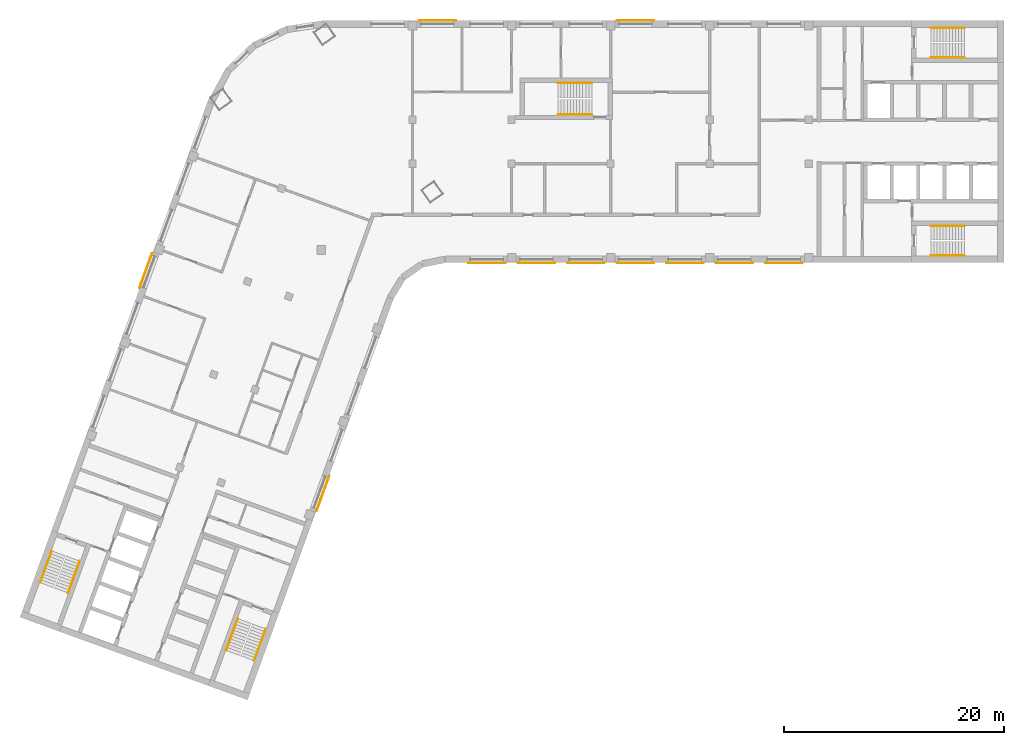
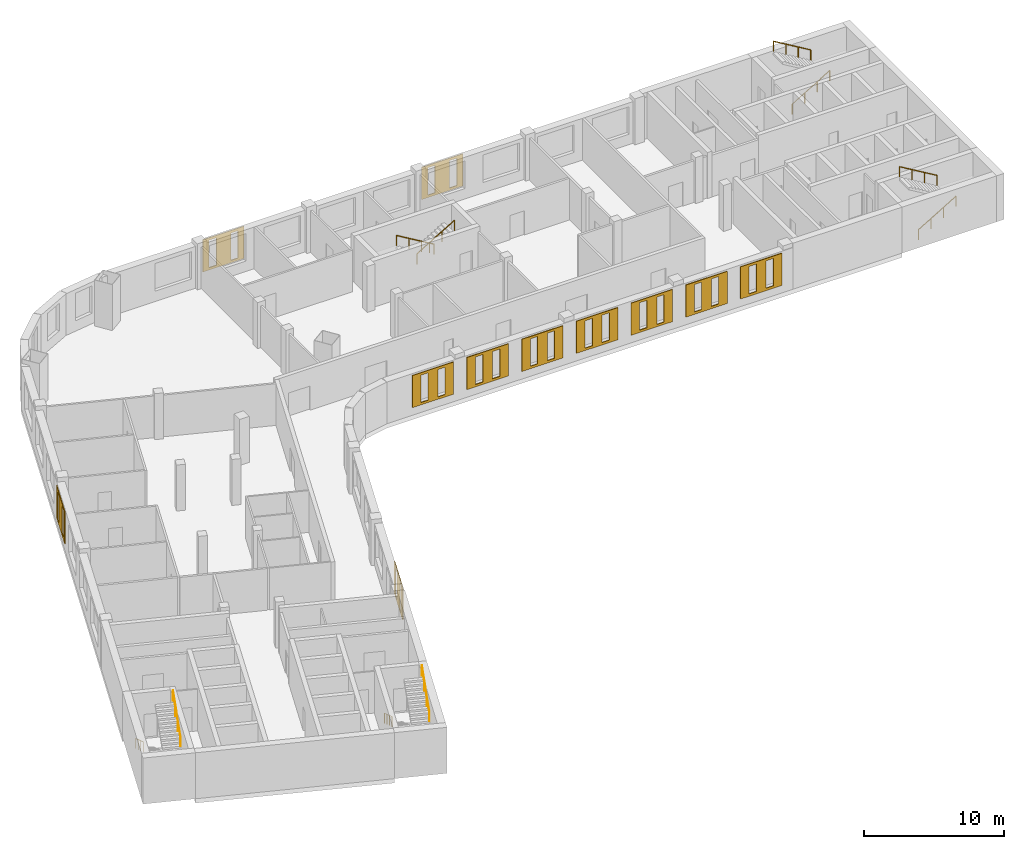
# One storey, part 8 of 8: 11 coverings, 10 railings.
"""IFC4 building model written with IfcOpenShell, lengths in metres."""

from ifc_helpers import new_model, si_unit, direction, frame, origin, origin_2d, place, context, subcontext, project, spatial, polyline, circle, outline, extrude, material, material_profile, profile_set, type_object, element, save


model = new_model("IFC4")

# Units and contexts
model_context = context("Model", 3, precision=1e-05, world=origin(), true_north=direction((0.0, 1.0)))
body_context = subcontext(model_context, "Body", "Model", "MODEL_VIEW")
ifc_project = project(units=[si_unit("LENGTHUNIT", "METRE"), si_unit("AREAUNIT", "SQUARE_METRE"), si_unit("VOLUMEUNIT", "CUBIC_METRE"), si_unit("PLANEANGLEUNIT", "RADIAN"), si_unit("MASSUNIT", "GRAM", prefix="KILO")], contexts=[model_context])

# Site, building, storey
site_placement = place(None, origin())
site = spatial("IfcSite", under=ifc_project, at=site_placement, CompositionType="ELEMENT")
building_placement = place(site_placement, origin())
building = spatial("IfcBuilding", under=site, at=building_placement, Name="Skarvind Civic Tower", CompositionType="ELEMENT")
storey_placement = place(building_placement, frame((0.0, 0.0, 162.5)))
storey = spatial("IfcBuildingStorey", under=building, at=storey_placement, Name="L38", CompositionType="ELEMENT", Elevation=162.5)

# Railings
ifc_material_1 = material(Name="Painted steel handrail", Category="steel")
railing_type = type_object("IfcRailingType", Name="Stair handrail 900", PredefinedType="HANDRAIL", material=ifc_material_1)
railing_1_placement = place(storey_placement, frame((101.35009765625, 135.64990234375, 0.166748046875)))
element("IfcRailing", 1, at=railing_1_placement, inside=storey, type_object=railing_type, Name="Stair handrail", PredefinedType="HANDRAIL", context=body_context, shape_type="SweptSolid", body=[
    extrude(circle(Radius=0.02392578125, at=origin_2d()), frame((0.0, 0.0, 0.8759765625), z_axis=(0.859290745958, 0.0, 0.51148745235), x_axis=(0.0, 1.0, 0.0)), (0.0, 0.0, 1.0), 3.584228515625),
    extrude(circle(Radius=0.02099609375, at=origin_2d()), origin(), (0.0, 0.0, 1.0), 0.851806640625),
    extrude(circle(Radius=0.02099609375, at=origin_2d()), frame((1.026611328125, 0.0, 0.611083984375)), (0.0, 0.0, 1.0), 0.851806640625),
    extrude(circle(Radius=0.02099609375, at=origin_2d()), frame((2.05322265625, 0.0, 1.22216796875)), (0.0, 0.0, 1.0), 0.851806640625),
    extrude(circle(Radius=0.02099609375, at=origin_2d()), frame((3.079833984375, 0.0, 1.833251953125)), (0.0, 0.0, 1.0), 0.851806640625),
])
railing_2_placement = place(storey_placement, frame((104.429931640625, 138.35009765625, 2.166748046875)))
element("IfcRailing", 2, at=railing_2_placement, inside=storey, type_object=railing_type, Name="Stair handrail", PredefinedType="HANDRAIL", context=body_context, shape_type="SweptSolid", body=[
    extrude(circle(Radius=0.02392578125, at=origin_2d()), frame((0.0, 0.0, 0.8759765625), z_axis=(-0.859290745958, 0.0, 0.51148745235), x_axis=(0.0, -1.0, 0.0)), (0.0, 0.0, 1.0), 3.584228515625),
    extrude(circle(Radius=0.02099609375, at=origin_2d()), origin(), (0.0, 0.0, 1.0), 0.851806640625),
    extrude(circle(Radius=0.02099609375, at=origin_2d()), frame((-1.026611328125, 0.0, 0.611083984375)), (0.0, 0.0, 1.0), 0.851806640625),
    extrude(circle(Radius=0.02099609375, at=origin_2d()), frame((-2.05322265625, 0.0, 1.22216796875)), (0.0, 0.0, 1.0), 0.851806640625),
    extrude(circle(Radius=0.02099609375, at=origin_2d()), frame((-3.079833984375, 0.0, 1.833251953125)), (0.0, 0.0, 1.0), 0.851806640625),
])
railing_3_placement = place(storey_placement, frame((101.35009765625, 117.64990234375, 0.166748046875)))
element("IfcRailing", 3, at=railing_3_placement, inside=storey, type_object=railing_type, Name="Stair handrail", PredefinedType="HANDRAIL", context=body_context, shape_type="SweptSolid", body=[
    extrude(circle(Radius=0.02392578125, at=origin_2d()), frame((0.0, 0.0, 0.8759765625), z_axis=(0.859290745958, 0.0, 0.51148745235), x_axis=(0.0, 1.0, 0.0)), (0.0, 0.0, 1.0), 3.584228515625),
    extrude(circle(Radius=0.02099609375, at=origin_2d()), origin(), (0.0, 0.0, 1.0), 0.851806640625),
    extrude(circle(Radius=0.02099609375, at=origin_2d()), frame((1.026611328125, 0.0, 0.611083984375)), (0.0, 0.0, 1.0), 0.851806640625),
    extrude(circle(Radius=0.02099609375, at=origin_2d()), frame((2.05322265625, 0.0, 1.22216796875)), (0.0, 0.0, 1.0), 0.851806640625),
    extrude(circle(Radius=0.02099609375, at=origin_2d()), frame((3.079833984375, 0.0, 1.833251953125)), (0.0, 0.0, 1.0), 0.851806640625),
])
railing_4_placement = place(storey_placement, frame((104.429931640625, 120.35009765625, 2.166748046875)))
element("IfcRailing", 4, at=railing_4_placement, inside=storey, type_object=railing_type, Name="Stair handrail", PredefinedType="HANDRAIL", context=body_context, shape_type="SweptSolid", body=[
    extrude(circle(Radius=0.02392578125, at=origin_2d()), frame((0.0, 0.0, 0.8759765625), z_axis=(-0.859290745958, 0.0, 0.51148745235), x_axis=(0.0, -1.0, 0.0)), (0.0, 0.0, 1.0), 3.584228515625),
    extrude(circle(Radius=0.02099609375, at=origin_2d()), origin(), (0.0, 0.0, 1.0), 0.851806640625),
    extrude(circle(Radius=0.02099609375, at=origin_2d()), frame((-1.026611328125, 0.0, 0.611083984375)), (0.0, 0.0, 1.0), 0.851806640625),
    extrude(circle(Radius=0.02099609375, at=origin_2d()), frame((-2.05322265625, 0.0, 1.22216796875)), (0.0, 0.0, 1.0), 0.851806640625),
    extrude(circle(Radius=0.02099609375, at=origin_2d()), frame((-3.079833984375, 0.0, 1.833251953125)), (0.0, 0.0, 1.0), 0.851806640625),
])
railing_5_placement = place(storey_placement, frame((38.362060546875, 84.64794921875, 0.166748046875)))
element("IfcRailing", 5, at=railing_5_placement, inside=storey, type_object=railing_type, Name="Stair handrail", PredefinedType="HANDRAIL", context=body_context, shape_type="SweptSolid", body=[
    extrude(circle(Radius=0.02392578125, at=origin_2d()), frame((0.0, 0.0, 0.8759765625), z_axis=(-0.293908055923, -0.807480881337, 0.511461319103), x_axis=(0.939689235759, -0.342029443467, 0.0)), (0.0, 0.0, 1.0), 3.584228515625),
    extrude(circle(Radius=0.02099609375, at=origin_2d()), origin(), (0.0, 0.0, 1.0), 0.851806640625),
    extrude(circle(Radius=0.02099609375, at=origin_2d()), frame((-0.35107421875, -0.96484375, 0.611083984375)), (0.0, 0.0, 1.0), 0.851806640625),
    extrude(circle(Radius=0.02099609375, at=origin_2d()), frame((-0.702392578125, -1.929443359375, 1.22216796875)), (0.0, 0.0, 1.0), 0.851806640625),
    extrude(circle(Radius=0.02099609375, at=origin_2d()), frame((-1.053466796875, -2.894287109375, 1.833251953125)), (0.0, 0.0, 1.0), 0.851806640625),
])
railing_6_placement = place(storey_placement, frame((39.845703125, 80.830078125, 2.166748046875)))
element("IfcRailing", 6, at=railing_6_placement, inside=storey, type_object=railing_type, Name="Stair handrail", PredefinedType="HANDRAIL", context=body_context, shape_type="SweptSolid", body=[
    extrude(circle(Radius=0.02392578125, at=origin_2d()), frame((0.0, 0.0, 0.8759765625), z_axis=(0.293908055923, 0.807480881337, 0.511461319103), x_axis=(-0.939689235759, 0.342029443467, 0.0)), (0.0, 0.0, 1.0), 3.584228515625),
    extrude(circle(Radius=0.02099609375, at=origin_2d()), origin(), (0.0, 0.0, 1.0), 0.851806640625),
    extrude(circle(Radius=0.02099609375, at=origin_2d()), frame((0.35107421875, 0.96484375, 0.611083984375)), (0.0, 0.0, 1.0), 0.851806640625),
    extrude(circle(Radius=0.02099609375, at=origin_2d()), frame((0.702392578125, 1.929443359375, 1.22216796875)), (0.0, 0.0, 1.0), 0.851806640625),
    extrude(circle(Radius=0.02099609375, at=origin_2d()), frame((1.053466796875, 2.894287109375, 1.833251953125)), (0.0, 0.0, 1.0), 0.851806640625),
])
railing_7_placement = place(storey_placement, frame((21.447509765625, 90.80419921875, 0.166748046875)))
element("IfcRailing", 7, at=railing_7_placement, inside=storey, type_object=railing_type, Name="Stair handrail", PredefinedType="HANDRAIL", context=body_context, shape_type="SweptSolid", body=[
    extrude(circle(Radius=0.02392578125, at=origin_2d()), frame((0.0, 0.0, 0.8759765625), z_axis=(-0.293845824691, -0.807497044902, 0.511471557163), x_axis=(0.939714709796, -0.34195944817, 0.0)), (0.0, 0.0, 1.0), 3.584228515625),
    extrude(circle(Radius=0.02099609375, at=origin_2d()), origin(), (0.0, 0.0, 1.0), 0.851806640625),
    extrude(circle(Radius=0.02099609375, at=origin_2d()), frame((-0.35107421875, -0.96484375, 0.611083984375)), (0.0, 0.0, 1.0), 0.851806640625),
    extrude(circle(Radius=0.02099609375, at=origin_2d()), frame((-0.7021484375, -1.929443359375, 1.22216796875)), (0.0, 0.0, 1.0), 0.851806640625),
    extrude(circle(Radius=0.02099609375, at=origin_2d()), frame((-1.05322265625, -2.894287109375, 1.833251953125)), (0.0, 0.0, 1.0), 0.851806640625),
])
railing_8_placement = place(storey_placement, frame((22.931396484375, 86.986572265625, 2.166748046875)))
element("IfcRailing", 8, at=railing_8_placement, inside=storey, type_object=railing_type, Name="Stair handrail", PredefinedType="HANDRAIL", context=body_context, shape_type="SweptSolid", body=[
    extrude(circle(Radius=0.02392578125, at=origin_2d()), frame((0.0, 0.0, 0.8759765625), z_axis=(0.293908055923, 0.807480881337, 0.511461319103), x_axis=(-0.939689235759, 0.342029443467, 0.0)), (0.0, 0.0, 1.0), 3.584228515625),
    extrude(circle(Radius=0.02099609375, at=origin_2d()), origin(), (0.0, 0.0, 1.0), 0.851806640625),
    extrude(circle(Radius=0.02099609375, at=origin_2d()), frame((0.35107421875, 0.96484375, 0.611083984375)), (0.0, 0.0, 1.0), 0.851806640625),
    extrude(circle(Radius=0.02099609375, at=origin_2d()), frame((0.702392578125, 1.929443359375, 1.22216796875)), (0.0, 0.0, 1.0), 0.851806640625),
    extrude(circle(Radius=0.02099609375, at=origin_2d()), frame((1.053466796875, 2.894287109375, 1.833251953125)), (0.0, 0.0, 1.0), 0.851806640625),
])
railing_9_placement = place(storey_placement, frame((70.550048828125, 133.35009765625, 0.166748046875)))
element("IfcRailing", 9, at=railing_9_placement, inside=storey, type_object=railing_type, Name="Stair handrail", PredefinedType="HANDRAIL", context=body_context, shape_type="SweptSolid", body=[
    extrude(circle(Radius=0.02392578125, at=origin_2d()), frame((0.0, 0.0, 0.8759765625), z_axis=(-0.859308565015, 0.0, 0.511457515432), x_axis=(0.0, -1.0, 0.0)), (0.0, 0.0, 1.0), 3.58447265625),
    extrude(circle(Radius=0.02099609375, at=origin_2d()), origin(), (0.0, 0.0, 1.0), 0.851806640625),
    extrude(circle(Radius=0.02099609375, at=origin_2d()), frame((-1.026611328125, 0.0, 0.611083984375)), (0.0, 0.0, 1.0), 0.851806640625),
    extrude(circle(Radius=0.02099609375, at=origin_2d()), frame((-2.053466796875, 0.0, 1.22216796875)), (0.0, 0.0, 1.0), 0.851806640625),
    extrude(circle(Radius=0.02099609375, at=origin_2d()), frame((-3.080078125, 0.0, 1.833251953125)), (0.0, 0.0, 1.0), 0.851806640625),
])
railing_10_placement = place(storey_placement, frame((67.469970703125, 130.449951171875, 2.166748046875)))
element("IfcRailing", 10, at=railing_10_placement, inside=storey, type_object=railing_type, Name="Stair handrail", PredefinedType="HANDRAIL", context=body_context, shape_type="SweptSolid", body=[
    extrude(circle(Radius=0.02392578125, at=origin_2d()), frame((0.0, 0.0, 0.8759765625), z_axis=(0.859308565015, 0.0, 0.511457515432), x_axis=(0.0, 1.0, 0.0)), (0.0, 0.0, 1.0), 3.58447265625),
    extrude(circle(Radius=0.02099609375, at=origin_2d()), origin(), (0.0, 0.0, 1.0), 0.851806640625),
    extrude(circle(Radius=0.02099609375, at=origin_2d()), frame((1.026611328125, 0.0, 0.611083984375)), (0.0, 0.0, 1.0), 0.851806640625),
    extrude(circle(Radius=0.02099609375, at=origin_2d()), frame((2.053466796875, 0.0, 1.22216796875)), (0.0, 0.0, 1.0), 0.851806640625),
    extrude(circle(Radius=0.02099609375, at=origin_2d()), frame((3.080078125, 0.0, 1.833251953125)), (0.0, 0.0, 1.0), 0.851806640625),
])

# Coverings
ifc_material_2 = material(Name="Terracotta", Category="masonry")
ifc_material_profile_1 = material_profile(ifc_material_2, outline(polyline([(-1.699951171875, -1.39990234375), (1.699951171875, -1.39990234375), (1.699951171875, 1.39990234375), (-1.699951171875, 1.39990234375), (-1.699951171875, -1.39990234375)]), holes=[polyline([(-1.0, -1.18994140625), (-0.39990234375, -1.18994140625), (-0.39990234375, 1.18994140625), (-1.0, 1.18994140625), (-1.0, -1.18994140625)]), polyline([(0.39990234375, -1.18994140625), (1.0, -1.18994140625), (1.0, 1.18994140625), (0.39990234375, 1.18994140625), (0.39990234375, -1.18994140625)])]), Name="TERRACOTTA SCREEN 3400 x 2800, SLIT PITCH 1400")
ifc_profile_set_1 = profile_set([ifc_material_profile_1], Name="Terracotta")
covering_type_1 = type_object("IfcCoveringType", Name="TERRACOTTA SCREEN 3400 x 2800, SLIT PITCH 1400", PredefinedType="CLADDING", material=ifc_profile_set_1)
for number, where, z_axis, x_axis, name in (
    (11, (88.0, 117.0, 2.10009765625), (0.0, -1.0, 0.0), (1.0, 0.0, 0.0), "TERRACOTTA SCREEN"),
    (12, (83.5, 117.0, 2.10009765625), (0.0, -1.0, 0.0), (1.0, 0.0, 0.0), "TERRACOTTA SCREEN"),
    (13, (79.0, 117.0, 2.10009765625), (0.0, -1.0, 0.0), (1.0, 0.0, 0.0), "TERRACOTTA SCREEN"),
    (14, (74.5, 117.0, 2.10009765625), (0.0, -1.0, 0.0), (1.0, 0.0, 0.0), "TERRACOTTA SCREEN"),
    (15, (70.0, 117.0, 2.10009765625), (0.0, -1.0, 0.0), (1.0, 0.0, 0.0), "TERRACOTTA SCREEN"),
    (16, (65.5, 117.0, 2.10009765625), (0.0, -1.0, 0.0), (1.0, 0.0, 0.0), "TERRACOTTA SCREEN"),
    (17, (61.0, 117.0, 2.10009765625), (0.0, -1.0, 0.0), (1.0, 0.0, 0.0), "TERRACOTTA SCREEN"),
):
    element("IfcCovering", number, at=place(storey_placement, frame(where, z_axis=z_axis, x_axis=x_axis)), inside=storey, type_object=covering_type_1, Name=name, PredefinedType="CLADDING", context=body_context, shape_type="SweptSolid", body=[
        extrude(outline(polyline([(-1.699951171875, -1.39990234375), (1.699951171875, -1.39990234375), (1.699951171875, 1.39990234375), (-1.699951171875, 1.39990234375), (-1.699951171875, -1.39990234375)]), holes=[polyline([(-1.0, -1.18994140625), (-0.39990234375, -1.18994140625), (-0.39990234375, 1.18994140625), (-1.0, 1.18994140625), (-1.0, -1.18994140625)]), polyline([(0.39990234375, -1.18994140625), (1.0, -1.18994140625), (1.0, 1.18994140625), (0.39990234375, 1.18994140625), (0.39990234375, -1.18994140625)])]), origin(), (0.0, 0.0, 1.0), 0.06005859375),
    ])
ifc_material_profile_2 = material_profile(ifc_material_2, outline(polyline([(-1.699951171875, -1.39990234375), (1.699951171875, -1.39990234375), (1.699951171875, 1.39990234375), (-1.699951171875, 1.39990234375), (-1.699951171875, -1.39990234375)]), holes=[polyline([(-1.199951171875, -1.18994140625), (-0.60009765625, -1.18994140625), (-0.60009765625, 1.18994140625), (-1.199951171875, 1.18994140625), (-1.199951171875, -1.18994140625)]), polyline([(0.60009765625, -1.18994140625), (1.199951171875, -1.18994140625), (1.199951171875, 1.18994140625), (0.60009765625, 1.18994140625), (0.60009765625, -1.18994140625)])]), Name="TERRACOTTA SCREEN 3400 x 2800, SLIT PITCH 1800")
ifc_profile_set_2 = profile_set([ifc_material_profile_2], Name="Terracotta")
covering_type_2 = type_object("IfcCoveringType", Name="TERRACOTTA SCREEN 3400 x 2800, SLIT PITCH 1800", PredefinedType="CLADDING", material=ifc_profile_set_2)
for number, where, z_axis, x_axis, name in (
    (18, (46.075927734375, 96.047119140625, 2.10009765625), (0.939793423488, -0.341743063087, 0.0), (0.341743063087, 0.939793423488, 0.0), "TERRACOTTA SCREEN"),
    (19, (56.5, 139.0, 2.10009765625), (0.0, 1.0, 0.0), (-1.0, 0.0, 0.0), "TERRACOTTA SCREEN"),
    (20, (74.5, 139.0, 2.10009765625), (0.0, 1.0, 0.0), (-1.0, 0.0, 0.0), "TERRACOTTA SCREEN"),
    (21, (30.02001953125, 116.25732421875, 2.10009765625), (-0.939793423488, 0.341743063087, 0.0), (-0.341743063087, -0.939793423488, 0.0), "TERRACOTTA SCREEN"),
):
    element("IfcCovering", number, at=place(storey_placement, frame(where, z_axis=z_axis, x_axis=x_axis)), inside=storey, type_object=covering_type_2, Name=name, PredefinedType="CLADDING", context=body_context, shape_type="SweptSolid", body=[
        extrude(outline(polyline([(-1.699951171875, -1.39990234375), (1.699951171875, -1.39990234375), (1.699951171875, 1.39990234375), (-1.699951171875, 1.39990234375), (-1.699951171875, -1.39990234375)]), holes=[polyline([(-1.199951171875, -1.18994140625), (-0.60009765625, -1.18994140625), (-0.60009765625, 1.18994140625), (-1.199951171875, 1.18994140625), (-1.199951171875, -1.18994140625)]), polyline([(0.60009765625, -1.18994140625), (1.199951171875, -1.18994140625), (1.199951171875, 1.18994140625), (0.60009765625, 1.18994140625), (0.60009765625, -1.18994140625)])]), origin(), (0.0, 0.0, 1.0), 0.06005859375),
    ])

save(model, "model.ifc")
